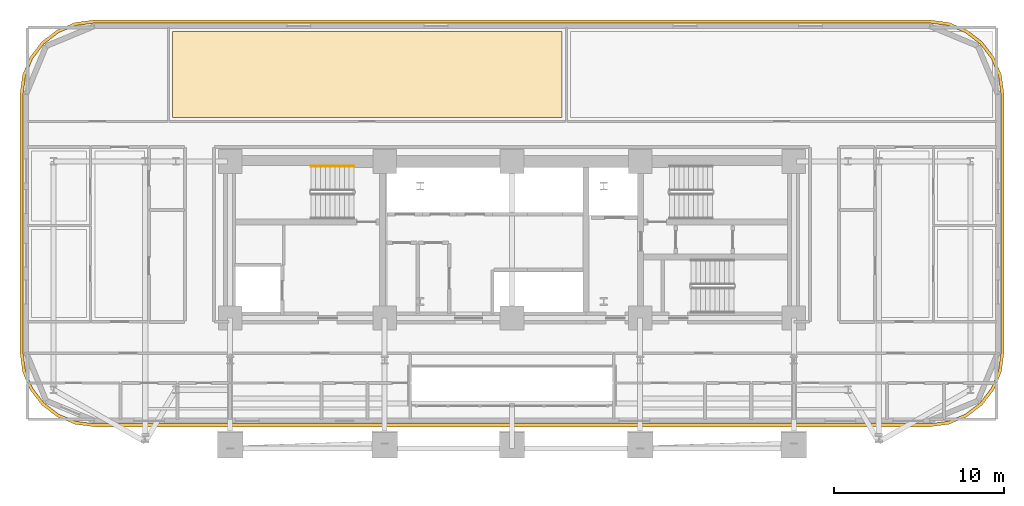
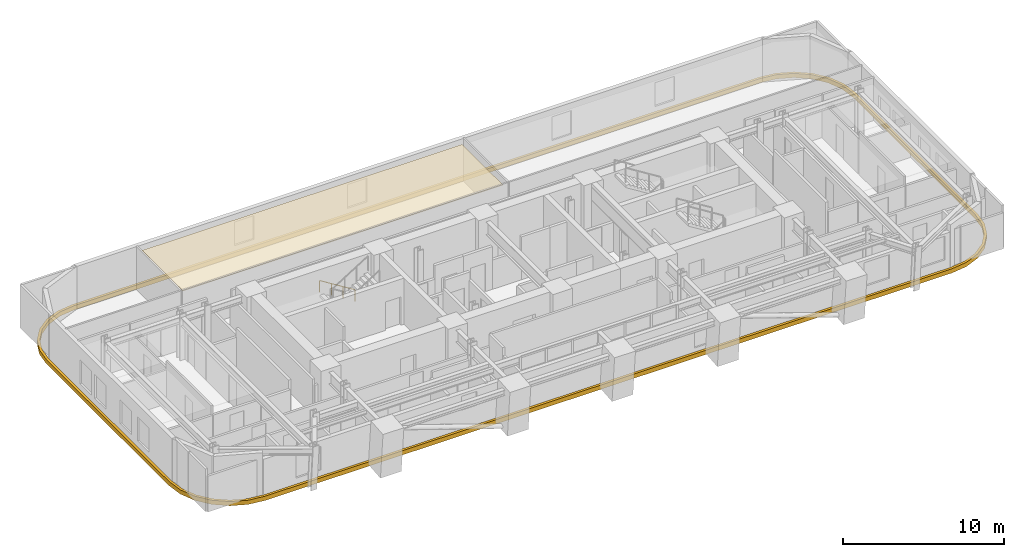
# One storey, part 15 of 16: 2 coverings, 1 railing.
"""IFC4 building model written with IfcOpenShell, lengths in metres."""

from ifc_helpers import new_model, si_unit, direction, frame, origin, origin_2d, place, context, subcontext, project, spatial, polyline, rectangle, outline, extrude, material, layer, layer_set, type_object, element, save


model = new_model("IFC4")

# Units and contexts
model_context = context("Model", 3, precision=1e-05, world=origin(), true_north=direction((0.0, 1.0)))
body_context = subcontext(model_context, "Body", "Model", "MODEL_VIEW")
ifc_project = project(units=[si_unit("LENGTHUNIT", "METRE"), si_unit("AREAUNIT", "SQUARE_METRE"), si_unit("VOLUMEUNIT", "CUBIC_METRE"), si_unit("PLANEANGLEUNIT", "RADIAN"), si_unit("MASSUNIT", "GRAM", prefix="KILO")], contexts=[model_context])

# Site, building, storey
site_placement = place(None, origin())
site = spatial("IfcSite", under=ifc_project, at=site_placement, CompositionType="ELEMENT")
building_placement = place(site_placement, origin())
building = spatial("IfcBuilding", under=site, at=building_placement, Name="Zarnavel Station Tower", CompositionType="ELEMENT")
storey_placement = place(building_placement, frame((0.0, 0.0, 64.0)))
storey = spatial("IfcBuildingStorey", under=building, at=storey_placement, Name="L17", CompositionType="ELEMENT", Elevation=64.0)

# Coverings
ifc_material_1 = material(Name="Perforated Gypsum and Mineral-Wool Acoustic Ceiling", Category="concrete")
ifc_layer = layer(ifc_material_1, 0.0400390625)
ifc_layer_set = layer_set([ifc_layer], Name="COV_CEIL_ACOUSTIC")
covering_type_1 = type_object("IfcCoveringType", Name="COV_CEIL_ACOUSTIC", PredefinedType="CEILING", material=ifc_layer_set)
covering_1_placement = place(storey_placement, frame((0.0, 0.0, 2.919921875)))
element("IfcCovering", 1, at=covering_1_placement, inside=storey, type_object=covering_type_1, Name="L17 NL5A Acoustic Ceiling", PredefinedType="CEILING", context=body_context, shape_type="SweptSolid", body=[
    extrude(outline(polyline([(8.81005859375, 39.64990234375), (31.75, 39.64990234375), (31.75, 44.68994140625), (8.81005859375, 44.68994140625), (8.81005859375, 39.64990234375)])), origin(), (0.0, 0.0, 1.0), 0.0400390625),
])
ifc_material_2 = material(Name="Precast concrete C45/55 (Pale Travertine Slab Band)", Category="masonry")
covering_type_2 = type_object("IfcCoveringType", Name="COV_TRAVERTINE_BAND", PredefinedType="CLADDING", material=ifc_material_2)
covering_2_placement = place(storey_placement, frame((0.0, 0.0, -0.260009765625)))
element("IfcCovering", 2, at=covering_2_placement, inside=storey, type_object=covering_type_2, Name="L17 Pale Travertine Slab-Edge Band", PredefinedType="CLADDING", context=body_context, shape_type="SweptSolid", body=[
    extrude(outline(polyline([(53.39990234375, 21.419921875), (54.53369140625, 21.569091796875), (55.590087890625, 22.0068359375), (56.4970703125, 22.702880859375), (57.193115234375, 23.610107421875), (57.630859375, 24.66650390625), (57.780029296875, 25.800048828125), (57.780029296875, 41.0), (57.630859375, 42.133544921875), (57.193115234375, 43.18994140625), (56.4970703125, 44.09716796875), (55.590087890625, 44.793212890625), (54.53369140625, 45.230712890625), (53.39990234375, 45.3798828125), (4.199951171875, 45.3798828125), (3.06640625, 45.230712890625), (2.010009765625, 44.793212890625), (1.102783203125, 44.09716796875), (0.40673828125, 43.18994140625), (-0.03076171875, 42.133544921875), (-0.179931640625, 41.0), (-0.179931640625, 25.800048828125), (-0.03076171875, 24.66650390625), (0.40673828125, 23.610107421875), (1.102783203125, 22.702880859375), (2.010009765625, 22.0068359375), (3.06640625, 21.569091796875), (4.199951171875, 21.419921875), (53.39990234375, 21.419921875)]), holes=[polyline([(53.39990234375, 21.60009765625), (54.487060546875, 21.7431640625), (55.5, 22.16259765625), (56.369873046875, 22.830078125), (57.037353515625, 23.699951171875), (57.456787109375, 24.712890625), (57.60009765625, 25.800048828125), (57.60009765625, 41.0), (57.456787109375, 42.0869140625), (57.037353515625, 43.10009765625), (56.369873046875, 43.9697265625), (55.5, 44.63720703125), (54.487060546875, 45.056884765625), (53.39990234375, 45.199951171875), (4.199951171875, 45.199951171875), (3.113037109375, 45.056884765625), (2.10009765625, 44.63720703125), (1.230224609375, 43.9697265625), (0.562744140625, 43.10009765625), (0.14306640625, 42.0869140625), (0.0, 41.0), (0.0, 25.800048828125), (0.14306640625, 24.712890625), (0.562744140625, 23.699951171875), (1.230224609375, 22.830078125), (2.10009765625, 22.16259765625), (3.113037109375, 21.7431640625), (4.199951171875, 21.60009765625), (53.39990234375, 21.60009765625)])]), origin(), (0.0, 0.0, 1.0), 0.320068359375),
])

# Railing
ifc_material_3 = material(Name="Brushed Stainless Steel S355J2 Handrail", Category="steel")
railing_type = type_object("IfcRailingType", Name="HR_STAIR_900", PredefinedType="HANDRAIL", material=ifc_material_3)
railing_placement = place(storey_placement, frame((19.47998046875, 36.77001953125, 0.175048828125)))
element("IfcRailing", 3, at=railing_placement, inside=storey, type_object=railing_type, Name="L17 ST1 stair handrail 1", PredefinedType="HANDRAIL", context=body_context, shape_type="SweptSolid", body=[
    extrude(rectangle(XDim=0.048095703125, YDim=0.048095703125, at=origin_2d()), frame((-0.001708984375, 0.0, 0.876953125), z_axis=(-0.848007534815, 0.0, 0.529984170421), x_axis=(0.0, -1.0, 0.0)), (0.0, 0.0, 1.0), 2.9677734375),
    extrude(rectangle(XDim=0.0419921875, YDim=0.0419921875, at=origin_2d()), origin(), (0.0, 0.0, 1.0), 0.851806640625),
    extrude(rectangle(XDim=0.0419921875, YDim=0.0419921875, at=origin_2d()), frame((-0.840087890625, 0.0, 0.52490234375)), (0.0, 0.0, 1.0), 0.851806640625),
    extrude(rectangle(XDim=0.0419921875, YDim=0.0419921875, at=origin_2d()), frame((-1.679931640625, 0.0, 1.050048828125)), (0.0, 0.0, 1.0), 0.851806640625),
    extrude(rectangle(XDim=0.0419921875, YDim=0.0419921875, at=origin_2d()), frame((-2.52001953125, 0.0, 1.574951171875)), (0.0, 0.0, 1.0), 0.851806640625),
])

save(model, "model.ifc")
